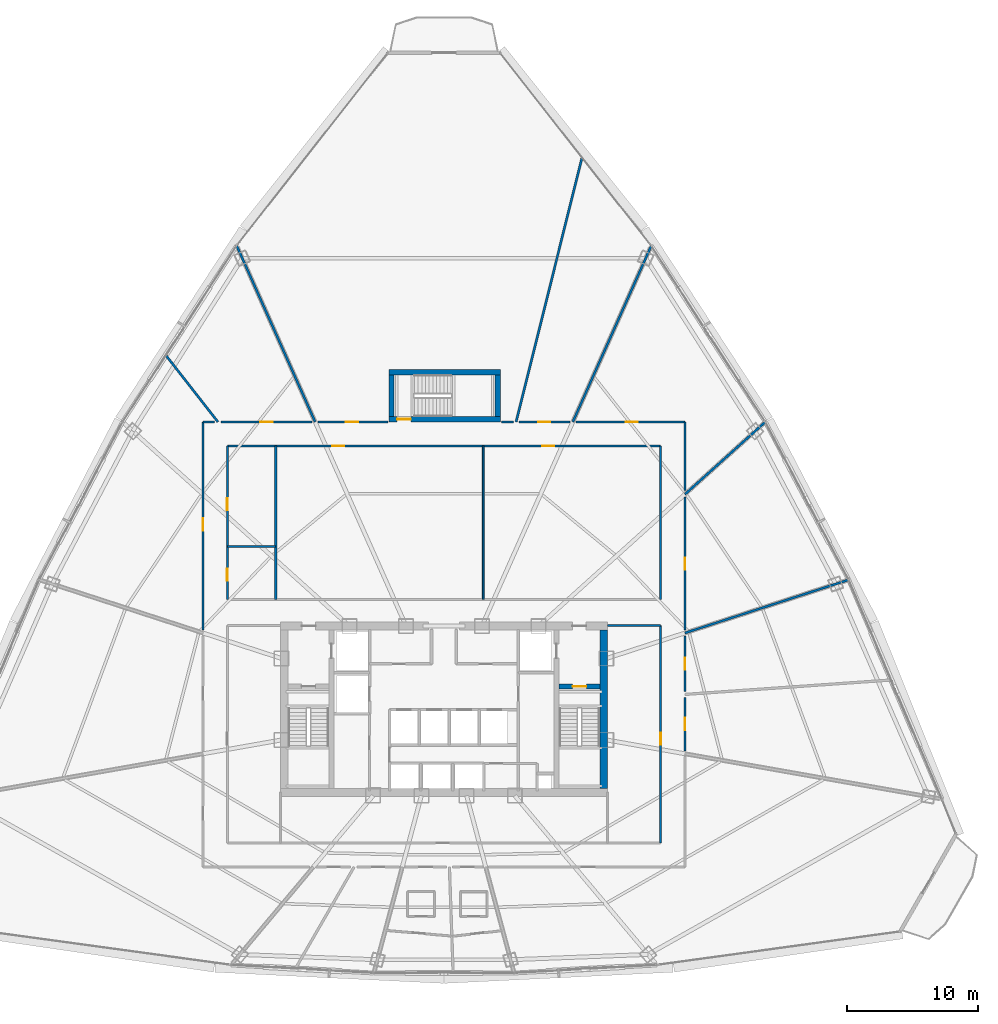
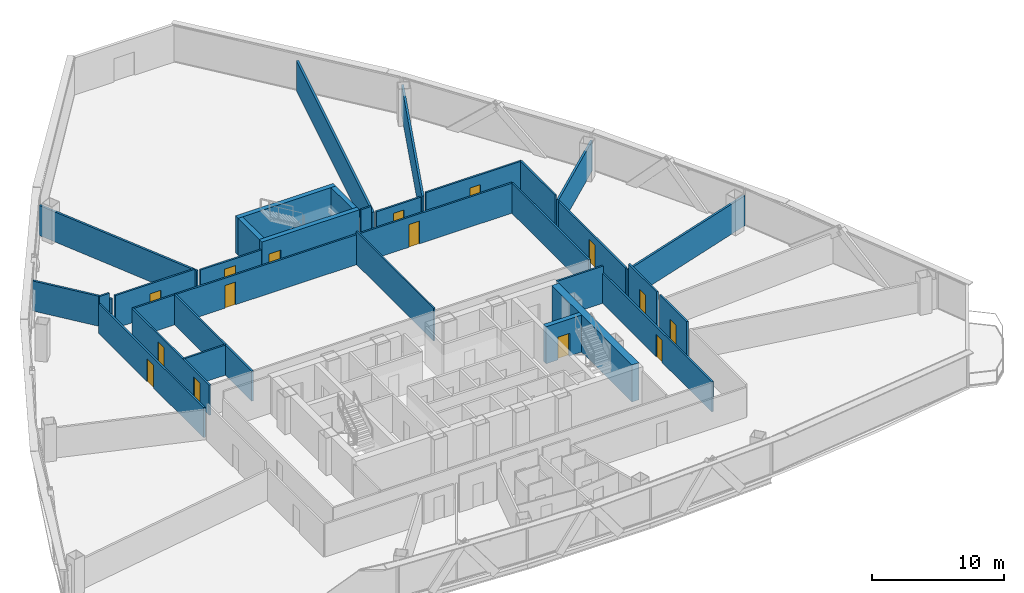
# One storey, part 34 of 39: 31 walls, 15 doors, 15 openings.
"""IFC4 building model written with IfcOpenShell, lengths in metres."""

from ifc_helpers import new_model, si_unit, direction, frame, frame_2d, origin, origin_with_axes, place, context, subcontext, project, spatial, rectangle, extrude, source, transform, mapped, material, layer, layer_set, type_object, element, fill, save


model = new_model("IFC4")

# Units and contexts
model_context = context("Model", 3, precision=1e-05, world=origin(), true_north=direction((0.0, 1.0)))
body_context = subcontext(model_context, "Body", "Model", "MODEL_VIEW")
ifc_project = project(units=[si_unit("LENGTHUNIT", "METRE"), si_unit("AREAUNIT", "SQUARE_METRE"), si_unit("VOLUMEUNIT", "CUBIC_METRE"), si_unit("PLANEANGLEUNIT", "RADIAN"), si_unit("MASSUNIT", "GRAM", prefix="KILO"), si_unit("THERMODYNAMICTEMPERATUREUNIT", "KELVIN"), si_unit("POWERUNIT", "WATT")], contexts=[model_context])

# Site, building, storey
site_placement = place(None, origin())
site = spatial("IfcSite", under=ifc_project, at=site_placement, CompositionType="ELEMENT")
building_placement = place(site_placement, origin())
building = spatial("IfcBuilding", under=site, at=building_placement, Name="Yunzhuo Pagoda Commons", CompositionType="ELEMENT")
storey_placement = place(building_placement, frame((0.0, 0.0, 162.949951171875)))
storey = spatial("IfcBuildingStorey", under=building, at=storey_placement, Name="L41", CompositionType="ELEMENT", Elevation=162.949951171875)

# Wall
ifc_material_1 = material(Name="Concrete C60", Category="concrete")
ifc_layer_1 = layer(ifc_material_1, 0.60009765625)
ifc_layer_set_1 = layer_set([ifc_layer_1], Name="Concrete C60")
wall_type_1 = type_object("IfcWallType", Name="W-C02 Mid Core Shear Wall 600", PredefinedType="SHEAR", material=ifc_layer_set_1)
wall_1_placement = place(storey_placement, frame((60.199951171875, 27.800048828125, 0.0), z_axis=(0.0, 0.0, 1.0), x_axis=(0.0, 1.0, 0.0)))
element("IfcWall", 1, at=wall_1_placement, inside=storey, type_object=wall_type_1, Name="L41 core shear wall E", PredefinedType="SHEAR", context=body_context, shape_type="SweptSolid", body=[
    extrude(rectangle(XDim=12.099853515625, YDim=0.60009765625, at=frame_2d((6.0498046875, 0.0))), origin(), (0.0, 0.0, 1.0), 3.420166015625),
])

# Wall, openings, doors
ifc_material_2 = material(Name="Gypsum plasterboard on acoustic stud")
ifc_layer_2 = layer(ifc_material_2, 0.155029296875)
ifc_layer_set_2 = layer_set([ifc_layer_2], Name="Gypsum plasterboard on acoustic stud")
wall_type_2 = type_object("IfcWallType", Name="W-COR2 Mid-Zone Rated Corridor Wall 155", PredefinedType="PARTITIONING", material=ifc_layer_set_2)
wall_2_placement = place(storey_placement, frame((31.449951171875, 53.949951171875, 0.0), z_axis=(0.0, 0.0, 1.0), x_axis=(1.0, 0.0, 0.0)))
wall_2 = element("IfcWall", 2, at=wall_2_placement, inside=storey, type_object=wall_type_2, Name="L41 interior wall IW-L41-MCNN", PredefinedType="PARTITIONING", context=body_context, shape_type="SweptSolid", body=[
    extrude(rectangle(XDim=33.10009765625, YDim=0.155029296875, at=frame_2d((16.550048828125, 0.0))), origin(), (0.0, 0.0, 1.0), 2.77001953125),
])
opening_1_placement = place(wall_2_placement, frame((8.0, 0.0, 0.0)))
opening_1 = element("IfcOpeningElement", 3, at=opening_1_placement, cuts=wall_2, Name="Opening D-04", PredefinedType="OPENING", context=body_context, shape_type="SweptSolid", body=[
    extrude(rectangle(XDim=0.919921875, YDim=2.10009765625, at=frame_2d((0.4599609375, 1.050048828125))), frame((0.0, 0.08740234375, 0.0), z_axis=(0.0, -1.0, 0.0), x_axis=(1.0, 0.0, 0.0)), (0.0, 0.0, 1.0), 0.175048828125),
])
opening_2_placement = place(wall_2_placement, frame((24.050048828125, 0.0, 0.0)))
opening_2 = element("IfcOpeningElement", 4, at=opening_2_placement, cuts=wall_2, Name="Opening D-04", PredefinedType="OPENING", context=body_context, shape_type="SweptSolid", body=[
    extrude(rectangle(XDim=0.919921875, YDim=2.10009765625, at=frame_2d((0.4599609375, 1.050048828125))), frame((0.0, 0.08740234375, 0.0), z_axis=(0.0, -1.0, 0.0), x_axis=(1.0, 0.0, 0.0)), (0.0, 0.0, 1.0), 0.175048828125),
])
ifc_material_3 = material(Name="Powder-coated aluminium and timber acoustic leaf", Category="wood")
door_type_1 = type_object("IfcDoorType", Name="D-04 Bedroom & Study Interior Door 920x2100", OperationType="NOTDEFINED", PredefinedType="DOOR", material=ifc_material_3)
shared_shape_1 = source(origin(), body_context, "Body", "SweptSolid", [
    extrude(rectangle(XDim=0.919921875, YDim=2.10009765625, at=frame_2d((0.4599609375, 1.050048828125))), frame((0.0, 0.02490234375, 0.0), z_axis=(0.0, -1.0, 0.0), x_axis=(1.0, 0.0, 0.0)), (0.0, 0.0, 1.0), 0.050048828125),
])
door_1_placement = place(opening_1_placement, origin_with_axes())
door_1 = element("IfcDoor", 5, at=door_1_placement, inside=storey, type_object=door_type_1, Name="L41 reading commons door", OperationType="SINGLE_SWING_LEFT", OverallHeight=2.10009765625, OverallWidth=0.919921875, PredefinedType="DOOR", context=body_context, shape_type="MappedRepresentation", body=[
    mapped(shared_shape_1, transform((0.0, 0.0, 0.0), scale=1.0)),
])
fill(opening_1, door_1)
door_2_placement = place(opening_2_placement, origin_with_axes())
door_2 = element("IfcDoor", 6, at=door_2_placement, inside=storey, type_object=door_type_1, Name="L41 seminar commons door", OperationType="SINGLE_SWING_RIGHT", OverallHeight=2.10009765625, OverallWidth=0.919921875, PredefinedType="DOOR", context=body_context, shape_type="MappedRepresentation", body=[
    mapped(shared_shape_1, transform((0.0, 0.0, 0.0), scale=1.0)),
])
fill(opening_2, door_2)

wall_3_placement = place(storey_placement, frame((31.449951171875, 42.25, 0.0), z_axis=(0.0, 0.0, 1.0), x_axis=(0.0, 1.0, 0.0)))
wall_3 = element("IfcWall", 7, at=wall_3_placement, inside=storey, type_object=wall_type_2, Name="L41 interior wall IW-L41-MCNW", PredefinedType="PARTITIONING", context=body_context, shape_type="SweptSolid", body=[
    extrude(rectangle(XDim=11.699951171875, YDim=0.155029296875, at=frame_2d((5.85009765625, 0.0))), origin(), (0.0, 0.0, 1.0), 2.77001953125),
])
opening_3_placement = place(wall_3_placement, frame((1.39990234375, 0.0, 0.0)))
opening_3 = element("IfcOpeningElement", 8, at=opening_3_placement, cuts=wall_3, Name="Opening D-11", PredefinedType="OPENING", context=body_context, shape_type="SweptSolid", body=[
    extrude(rectangle(XDim=0.93994140625, YDim=2.10009765625, at=frame_2d((0.469970703125, 1.050048828125))), frame((0.0, 0.08740234375, 0.0), z_axis=(0.0, -1.0, 0.0), x_axis=(1.0, 0.0, 0.0)), (0.0, 0.0, 1.0), 0.175048828125),
])
opening_4_placement = place(wall_3_placement, frame((6.800048828125, 0.0, 0.0)))
opening_4 = element("IfcOpeningElement", 9, at=opening_4_placement, cuts=wall_3, Name="Opening D-04", PredefinedType="OPENING", context=body_context, shape_type="SweptSolid", body=[
    extrude(rectangle(XDim=0.919921875, YDim=2.10009765625, at=frame_2d((0.4599609375, 1.050048828125))), frame((0.0, 0.08740234375, 0.0), z_axis=(0.0, -1.0, 0.0), x_axis=(1.0, 0.0, 0.0)), (0.0, 0.0, 1.0), 0.175048828125),
])
ifc_material_4 = material(Name="Galvanized fire-resisting metal leaf")
door_type_2 = type_object("IfcDoorType", Name="D-11 Accessible Washroom Fire Door 940x2100", OperationType="NOTDEFINED", PredefinedType="DOOR", material=ifc_material_4)
shared_shape_2 = source(origin(), body_context, "Body", "SweptSolid", [
    extrude(rectangle(XDim=0.93994140625, YDim=2.10009765625, at=frame_2d((0.469970703125, 1.050048828125))), frame((0.0, 0.02490234375, 0.0), z_axis=(0.0, -1.0, 0.0), x_axis=(1.0, 0.0, 0.0)), (0.0, 0.0, 1.0), 0.050048828125),
])
door_3_placement = place(opening_3_placement, origin_with_axes())
door_3 = element("IfcDoor", 10, at=door_3_placement, inside=storey, type_object=door_type_2, Name="L41 accessible WC door", OperationType="SINGLE_SWING_LEFT", OverallHeight=2.10009765625, OverallWidth=0.93994140625, PredefinedType="DOOR", context=body_context, shape_type="MappedRepresentation", body=[
    mapped(shared_shape_2, transform((0.0, 0.0, 0.0), scale=1.0)),
])
fill(opening_3, door_3)
door_4_placement = place(opening_4_placement, origin_with_axes())
door_4 = element("IfcDoor", 11, at=door_4_placement, inside=storey, type_object=door_type_1, Name="L41 laundry door", OperationType="SINGLE_SWING_RIGHT", OverallHeight=2.10009765625, OverallWidth=0.919921875, PredefinedType="DOOR", context=body_context, shape_type="MappedRepresentation", body=[
    mapped(shared_shape_1, transform((0.0, 0.0, 0.0), scale=1.0)),
])
fill(opening_4, door_4)

# Walls
for number, where, z_axis, x_axis, name in (
    (12, (64.550048828125, 42.25, 0.0), (0.0, 0.0, 1.0), (0.0, 1.0, 0.0), "L41 interior wall IW-L41-MCNE"),
    (13, (35.14990234375, 42.25, 0.0), (0.0, 0.0, 1.0), (0.0, 1.0, 0.0), "L41 interior wall IW-L41-MCWCE"),
):
    element("IfcWall", number, at=place(storey_placement, frame(where, z_axis=z_axis, x_axis=x_axis)), inside=storey, type_object=wall_type_2, Name=name, PredefinedType="PARTITIONING", context=body_context, shape_type="SweptSolid", body=[
        extrude(rectangle(XDim=11.699951171875, YDim=0.155029296875, at=frame_2d((5.85009765625, 0.0))), origin(), (0.0, 0.0, 1.0), 2.77001953125),
    ])
wall_4_placement = place(storey_placement, frame((31.449951171875, 46.300048828125, 0.0), z_axis=(0.0, 0.0, 1.0), x_axis=(1.0, 0.0, 0.0)))
element("IfcWall", 14, at=wall_4_placement, inside=storey, type_object=wall_type_2, Name="L41 interior wall IW-L41-MCWCN", PredefinedType="PARTITIONING", context=body_context, shape_type="SweptSolid", body=[
    extrude(rectangle(XDim=3.699951171875, YDim=0.155029296875, at=frame_2d((1.85009765625, 0.0))), origin(), (0.0, 0.0, 1.0), 2.77001953125),
])

# Wall, opening, door
wall_5_placement = place(storey_placement, frame((64.550048828125, 23.64990234375, 0.0), z_axis=(0.0, 0.0, 1.0), x_axis=(0.0, 1.0, 0.0)))
wall_5 = element("IfcWall", 15, at=wall_5_placement, inside=storey, type_object=wall_type_2, Name="L41 interior wall IW-L41-SFLE", PredefinedType="PARTITIONING", context=body_context, shape_type="SweptSolid", body=[
    extrude(rectangle(XDim=16.60009765625, YDim=0.155029296875, at=frame_2d((8.300048828125, 0.0))), origin(), (0.0, 0.0, 1.0), 2.77001953125),
])
opening_5_placement = place(wall_5_placement, frame((7.5, 0.0, 0.0)))
opening_5 = element("IfcOpeningElement", 16, at=opening_5_placement, cuts=wall_5, Name="Opening D-12", PredefinedType="OPENING", context=body_context, shape_type="SweptSolid", body=[
    extrude(rectangle(XDim=0.89990234375, YDim=2.080078125, at=frame_2d((0.449951171875, 1.0400390625))), frame((0.0, 0.08740234375, 0.0), z_axis=(0.0, -1.0, 0.0), x_axis=(1.0, 0.0, 0.0)), (0.0, 0.0, 1.0), 0.175048828125),
])
door_type_3 = type_object("IfcDoorType", Name="D-12 Quiet Study Interior Door 900x2080", OperationType="NOTDEFINED", PredefinedType="DOOR", material=ifc_material_3)
shared_shape_3 = source(origin(), body_context, "Body", "SweptSolid", [
    extrude(rectangle(XDim=0.89990234375, YDim=2.080078125, at=frame_2d((0.449951171875, 1.0400390625))), frame((0.0, 0.02490234375, 0.0), z_axis=(0.0, -1.0, 0.0), x_axis=(1.0, 0.0, 0.0)), (0.0, 0.0, 1.0), 0.050048828125),
])
door_5_placement = place(opening_5_placement, frame((0.89990234375, 0.0, 0.0), z_axis=(0.0, 0.0, 1.0), x_axis=(-1.0, 0.0, 0.0)))
door_5 = element("IfcDoor", 17, at=door_5_placement, inside=storey, type_object=door_type_3, Name="L41 east study workroom door", OperationType="SINGLE_SWING_RIGHT", OverallHeight=2.080078125, OverallWidth=0.89990234375, PredefinedType="DOOR", context=body_context, shape_type="MappedRepresentation", body=[
    mapped(shared_shape_3, transform((0.0, 0.0, 0.0), scale=1.0)),
])
fill(opening_5, door_5)

# Wall
wall_6_placement = place(storey_placement, frame((60.5, 40.25, 0.0), z_axis=(0.0, 0.0, 1.0), x_axis=(1.0, 0.0, 0.0)))
element("IfcWall", 18, at=wall_6_placement, inside=storey, type_object=wall_type_2, Name="L41 interior wall IW-L41-SFLNE", PredefinedType="PARTITIONING", context=body_context, shape_type="SweptSolid", body=[
    extrude(rectangle(XDim=4.050048828125, YDim=0.155029296875, at=frame_2d((2.02490234375, 0.0))), origin(), (0.0, 0.0, 1.0), 3.420166015625),
])

# Wall, opening, door
wall_7_placement = place(storey_placement, frame((29.60009765625, 39.909912109375, 0.0), z_axis=(0.0, 0.0, 1.0), x_axis=(0.0, 1.0, 0.0)))
wall_7 = element("IfcWall", 19, at=wall_7_placement, inside=storey, type_object=wall_type_2, Name="L41 interior wall IW-L41-CWL03", PredefinedType="PARTITIONING", context=body_context, shape_type="SweptSolid", body=[
    extrude(rectangle(XDim=15.89013671875, YDim=0.155029296875, at=frame_2d((7.945068359375, 0.0))), origin(), (0.0, 0.0, 1.0), 2.77001953125),
])
opening_6_placement = place(wall_7_placement, frame((7.58447265625, 0.0, 0.0)))
opening_6 = element("IfcOpeningElement", 20, at=opening_6_placement, cuts=wall_7, Name="Opening D-07", PredefinedType="OPENING", context=body_context, shape_type="SweptSolid", body=[
    extrude(rectangle(XDim=0.9599609375, YDim=2.1201171875, at=frame_2d((0.47998046875, 1.06005859375))), frame((0.0, 0.08740234375, 0.0), z_axis=(0.0, -1.0, 0.0), x_axis=(1.0, 0.0, 0.0)), (0.0, 0.0, 1.0), 0.175048828125),
])
door_type_4 = type_object("IfcDoorType", Name="D-07 Mid-Zone Suite Entrance Fire Door 960x2120", OperationType="NOTDEFINED", PredefinedType="DOOR", material=ifc_material_4)
shared_shape_4 = source(origin(), body_context, "Body", "SweptSolid", [
    extrude(rectangle(XDim=0.9599609375, YDim=2.1201171875, at=frame_2d((0.47998046875, 1.06005859375))), frame((0.0, 0.02490234375, 0.0), z_axis=(0.0, -1.0, 0.0), x_axis=(1.0, 0.0, 0.0)), (0.0, 0.0, 1.0), 0.050048828125),
])
door_6_placement = place(opening_6_placement, origin_with_axes())
door_6 = element("IfcDoor", 21, at=door_6_placement, inside=storey, type_object=door_type_4, Name="L41 Shared Resident Kitchen and Pantry door", OperationType="SINGLE_SWING_RIGHT", OverallHeight=2.1201171875, OverallWidth=0.9599609375, PredefinedType="DOOR", context=body_context, shape_type="MappedRepresentation", body=[
    mapped(shared_shape_4, transform((0.0, 0.0, 0.0), scale=1.0)),
])
fill(opening_6, door_6)

# Wall
wall_8_placement = place(storey_placement, frame((29.60009765625, 55.800048828125, 0.0), z_axis=(0.0, 0.0, 1.0), x_axis=(1.0, 0.0, 0.0)))
element("IfcWall", 22, at=wall_8_placement, inside=storey, type_object=wall_type_2, Name="L41 interior wall IW-L41-CWL04", PredefinedType="PARTITIONING", context=body_context, shape_type="SweptSolid", body=[
    extrude(rectangle(XDim=0.854248046875, YDim=0.155029296875, at=frame_2d((0.42724609375, 0.0))), origin(), (0.0, 0.0, 1.0), 3.420166015625),
])

# Wall, opening, door
wall_9_placement = place(storey_placement, frame((30.953369140625, 55.800048828125, 0.0), z_axis=(0.0, 0.0, 1.0), x_axis=(1.0, 0.0, 0.0)))
wall_9 = element("IfcWall", 23, at=wall_9_placement, inside=storey, type_object=wall_type_2, Name="L41 interior wall IW-L41-CWL05", PredefinedType="PARTITIONING", context=body_context, shape_type="SweptSolid", body=[
    extrude(rectangle(XDim=6.96630859375, YDim=0.155029296875, at=frame_2d((3.483154296875, 0.0))), origin(), (0.0, 0.0, 1.0), 3.02001953125),
])
opening_7_placement = place(wall_9_placement, frame((3.0185546875, 0.0, 0.0)))
opening_7 = element("IfcOpeningElement", 24, at=opening_7_placement, cuts=wall_9, Name="Opening D-07", PredefinedType="OPENING", context=body_context, shape_type="SweptSolid", body=[
    extrude(rectangle(XDim=0.9599609375, YDim=2.1201171875, at=frame_2d((0.47998046875, 1.06005859375))), frame((0.0, 0.08740234375, 0.0), z_axis=(0.0, -1.0, 0.0), x_axis=(1.0, 0.0, 0.0)), (0.0, 0.0, 1.0), 0.175048828125),
])
door_7_placement = place(opening_7_placement, origin_with_axes())
door_7 = element("IfcDoor", 25, at=door_7_placement, inside=storey, type_object=door_type_4, Name="L41 unit 06 entrance door", OperationType="SINGLE_SWING_LEFT", OverallHeight=2.1201171875, OverallWidth=0.9599609375, PredefinedType="DOOR", context=body_context, shape_type="MappedRepresentation", body=[
    mapped(shared_shape_4, transform((0.0, 0.0, 0.0), scale=1.0)),
])
fill(opening_7, door_7)

wall_10_placement = place(storey_placement, frame((38.380126953125, 55.800048828125, 0.0), z_axis=(0.0, 0.0, 1.0), x_axis=(1.0, 0.0, 0.0)))
wall_10 = element("IfcWall", 26, at=wall_10_placement, inside=storey, type_object=wall_type_2, Name="L41 interior wall IW-L41-CWL06", PredefinedType="PARTITIONING", context=body_context, shape_type="SweptSolid", body=[
    extrude(rectangle(XDim=5.328857421875, YDim=0.155029296875, at=frame_2d((2.66455078125, 0.0))), origin(), (0.0, 0.0, 1.0), 2.77001953125),
])
opening_8_placement = place(wall_10_placement, frame((2.114990234375, 0.0, 0.0)))
opening_8 = element("IfcOpeningElement", 27, at=opening_8_placement, cuts=wall_10, Name="Opening D-07", PredefinedType="OPENING", context=body_context, shape_type="SweptSolid", body=[
    extrude(rectangle(XDim=0.9599609375, YDim=2.1201171875, at=frame_2d((0.47998046875, 1.06005859375))), frame((0.0, 0.08740234375, 0.0), z_axis=(0.0, -1.0, 0.0), x_axis=(1.0, 0.0, 0.0)), (0.0, 0.0, 1.0), 0.175048828125),
])
door_8_placement = place(opening_8_placement, origin_with_axes())
door_8 = element("IfcDoor", 28, at=door_8_placement, inside=storey, type_object=door_type_4, Name="L41 unit 05 entrance door", OperationType="SINGLE_SWING_RIGHT", OverallHeight=2.1201171875, OverallWidth=0.9599609375, PredefinedType="DOOR", context=body_context, shape_type="MappedRepresentation", body=[
    mapped(shared_shape_4, transform((0.0, 0.0, 0.0), scale=1.0)),
])
fill(opening_8, door_8)

# Wall
wall_11_placement = place(storey_placement, frame((52.39111328125, 55.800048828125, 0.0), z_axis=(0.0, 0.0, 1.0), x_axis=(1.0, 0.0, 0.0)))
element("IfcWall", 29, at=wall_11_placement, inside=storey, type_object=wall_type_2, Name="L41 interior wall IW-L41-CWL07", PredefinedType="PARTITIONING", context=body_context, shape_type="SweptSolid", body=[
    extrude(rectangle(XDim=0.899169921875, YDim=0.155029296875, at=frame_2d((0.44970703125, 0.0))), origin(), (0.0, 0.0, 1.0), 3.420166015625),
])

# Wall, opening, door
wall_12_placement = place(storey_placement, frame((53.73681640625, 55.800048828125, 0.0), z_axis=(0.0, 0.0, 1.0), x_axis=(1.0, 0.0, 0.0)))
wall_12 = element("IfcWall", 30, at=wall_12_placement, inside=storey, type_object=wall_type_2, Name="L41 interior wall IW-L41-CWL08", PredefinedType="PARTITIONING", context=body_context, shape_type="SweptSolid", body=[
    extrude(rectangle(XDim=3.883056640625, YDim=0.155029296875, at=frame_2d((1.94140625, 0.0))), origin(), (0.0, 0.0, 1.0), 2.77001953125),
])
opening_9_placement = place(wall_12_placement, frame((1.47802734375, 0.0, 0.0)))
opening_9 = element("IfcOpeningElement", 31, at=opening_9_placement, cuts=wall_12, Name="Opening D-04", PredefinedType="OPENING", context=body_context, shape_type="SweptSolid", body=[
    extrude(rectangle(XDim=0.919921875, YDim=2.10009765625, at=frame_2d((0.4599609375, 1.050048828125))), frame((0.0, 0.08740234375, 0.0), z_axis=(0.0, -1.0, 0.0), x_axis=(1.0, 0.0, 0.0)), (0.0, 0.0, 1.0), 0.175048828125),
])
door_9_placement = place(opening_9_placement, origin_with_axes())
door_9 = element("IfcDoor", 32, at=door_9_placement, inside=storey, type_object=door_type_1, Name="L41 seminar room 04 door", OperationType="SINGLE_SWING_LEFT", OverallHeight=2.10009765625, OverallWidth=0.919921875, PredefinedType="DOOR", context=body_context, shape_type="MappedRepresentation", body=[
    mapped(shared_shape_1, transform((0.0, 0.0, 0.0), scale=1.0)),
])
fill(opening_9, door_9)

wall_13_placement = place(storey_placement, frame((58.080322265625, 55.800048828125, 0.0), z_axis=(0.0, 0.0, 1.0), x_axis=(1.0, 0.0, 0.0)))
wall_13 = element("IfcWall", 33, at=wall_13_placement, inside=storey, type_object=wall_type_2, Name="L41 interior wall IW-L41-CWL09", PredefinedType="PARTITIONING", context=body_context, shape_type="SweptSolid", body=[
    extrude(rectangle(XDim=8.319580078125, YDim=0.155029296875, at=frame_2d((4.15966796875, 0.0))), origin(), (0.0, 0.0, 1.0), 3.02001953125),
])
opening_10_placement = place(wall_13_placement, frame((3.809326171875, 0.0, 0.0)))
opening_10 = element("IfcOpeningElement", 34, at=opening_10_placement, cuts=wall_13, Name="Opening D-04", PredefinedType="OPENING", context=body_context, shape_type="SweptSolid", body=[
    extrude(rectangle(XDim=0.919921875, YDim=2.10009765625, at=frame_2d((0.4599609375, 1.050048828125))), frame((0.0, 0.08740234375, 0.0), z_axis=(0.0, -1.0, 0.0), x_axis=(1.0, 0.0, 0.0)), (0.0, 0.0, 1.0), 0.175048828125),
])
door_10_placement = place(opening_10_placement, origin_with_axes())
door_10 = element("IfcDoor", 35, at=door_10_placement, inside=storey, type_object=door_type_1, Name="L41 seminar room 03 door", OperationType="SINGLE_SWING_RIGHT", OverallHeight=2.10009765625, OverallWidth=0.919921875, PredefinedType="DOOR", context=body_context, shape_type="MappedRepresentation", body=[
    mapped(shared_shape_1, transform((0.0, 0.0, 0.0), scale=1.0)),
])
fill(opening_10, door_10)

# Wall
wall_14_placement = place(storey_placement, frame((66.39990234375, 55.800048828125, 0.0), z_axis=(0.0, 0.0, 1.0), x_axis=(0.0, -1.0, 0.0)))
element("IfcWall", 36, at=wall_14_placement, inside=storey, type_object=wall_type_2, Name="L41 interior wall IW-L41-CWL10", PredefinedType="PARTITIONING", context=body_context, shape_type="SweptSolid", body=[
    extrude(rectangle(XDim=5.236572265625, YDim=0.155029296875, at=frame_2d((2.6181640625, 0.0))), origin(), (0.0, 0.0, 1.0), 3.02001953125),
])

# Wall, opening, door
wall_15_placement = place(storey_placement, frame((66.39990234375, 50.047607421875, 0.0), z_axis=(0.0, 0.0, 1.0), x_axis=(0.0, -1.0, 0.0)))
wall_15 = element("IfcWall", 37, at=wall_15_placement, inside=storey, type_object=wall_type_2, Name="L41 interior wall IW-L41-CWL11", PredefinedType="PARTITIONING", context=body_context, shape_type="SweptSolid", body=[
    extrude(rectangle(XDim=10.1376953125, YDim=0.155029296875, at=frame_2d((5.06884765625, 0.0))), origin(), (0.0, 0.0, 1.0), 2.77001953125),
])
opening_11_placement = place(wall_15_placement, frame((4.61474609375, 0.0, 0.0)))
opening_11 = element("IfcOpeningElement", 38, at=opening_11_placement, cuts=wall_15, Name="Opening D-04", PredefinedType="OPENING", context=body_context, shape_type="SweptSolid", body=[
    extrude(rectangle(XDim=0.919921875, YDim=2.10009765625, at=frame_2d((0.4599609375, 1.050048828125))), frame((0.0, 0.08740234375, 0.0), z_axis=(0.0, -1.0, 0.0), x_axis=(1.0, 0.0, 0.0)), (0.0, 0.0, 1.0), 0.175048828125),
])
door_11_placement = place(opening_11_placement, origin_with_axes())
door_11 = element("IfcDoor", 39, at=door_11_placement, inside=storey, type_object=door_type_1, Name="L41 seminar room 02 door", OperationType="SINGLE_SWING_LEFT", OverallHeight=2.10009765625, OverallWidth=0.919921875, PredefinedType="DOOR", context=body_context, shape_type="MappedRepresentation", body=[
    mapped(shared_shape_1, transform((0.0, 0.0, 0.0), scale=1.0)),
])
fill(opening_11, door_11)

wall_16_placement = place(storey_placement, frame((66.39990234375, 39.458740234375, 0.0), z_axis=(0.0, 0.0, 1.0), x_axis=(0.0, -1.0, 0.0)))
wall_16 = element("IfcWall", 40, at=wall_16_placement, inside=storey, type_object=wall_type_2, Name="L41 interior wall IW-L41-CWL12", PredefinedType="PARTITIONING", context=body_context, shape_type="SweptSolid", body=[
    extrude(rectangle(XDim=4.25146484375, YDim=0.155029296875, at=frame_2d((2.125732421875, 0.0))), origin(), (0.0, 0.0, 1.0), 3.420166015625),
])
opening_12_placement = place(wall_16_placement, frame((1.666015625, 0.0, 0.0)))
opening_12 = element("IfcOpeningElement", 41, at=opening_12_placement, cuts=wall_16, Name="Opening D-04", PredefinedType="OPENING", context=body_context, shape_type="SweptSolid", body=[
    extrude(rectangle(XDim=0.919921875, YDim=2.10009765625, at=frame_2d((0.4599609375, 1.050048828125))), frame((0.0, 0.08740234375, 0.0), z_axis=(0.0, -1.0, 0.0), x_axis=(1.0, 0.0, 0.0)), (0.0, 0.0, 1.0), 0.175048828125),
])
door_12_placement = place(opening_12_placement, origin_with_axes())
door_12 = element("IfcDoor", 42, at=door_12_placement, inside=storey, type_object=door_type_1, Name="L41 seminar room 01 door", OperationType="SINGLE_SWING_RIGHT", OverallHeight=2.10009765625, OverallWidth=0.919921875, PredefinedType="DOOR", context=body_context, shape_type="MappedRepresentation", body=[
    mapped(shared_shape_1, transform((0.0, 0.0, 0.0), scale=1.0)),
])
fill(opening_12, door_12)

wall_17_placement = place(storey_placement, frame((66.39990234375, 34.766845703125, 0.0), z_axis=(0.0, 0.0, 1.0), x_axis=(0.0, -1.0, 0.0)))
wall_17 = element("IfcWall", 43, at=wall_17_placement, inside=storey, type_object=wall_type_2, Name="L41 interior wall IW-L41-CWL13", PredefinedType="PARTITIONING", context=body_context, shape_type="SweptSolid", body=[
    extrude(rectangle(XDim=4.091552734375, YDim=0.155029296875, at=frame_2d((2.0458984375, 0.0))), origin(), (0.0, 0.0, 1.0), 3.420166015625),
])
opening_13_placement = place(wall_17_placement, frame((1.57080078125, 0.0, 0.0)))
opening_13 = element("IfcOpeningElement", 44, at=opening_13_placement, cuts=wall_17, Name="Opening D-07", PredefinedType="OPENING", context=body_context, shape_type="SweptSolid", body=[
    extrude(rectangle(XDim=0.9599609375, YDim=2.1201171875, at=frame_2d((0.47998046875, 1.06005859375))), frame((0.0, 0.08740234375, 0.0), z_axis=(0.0, -1.0, 0.0), x_axis=(1.0, 0.0, 0.0)), (0.0, 0.0, 1.0), 0.175048828125),
])
door_13_placement = place(opening_13_placement, origin_with_axes())
door_13 = element("IfcDoor", 45, at=door_13_placement, inside=storey, type_object=door_type_4, Name="L41 unit 15 entrance door", OperationType="SINGLE_SWING_RIGHT", OverallHeight=2.1201171875, OverallWidth=0.9599609375, PredefinedType="DOOR", context=body_context, shape_type="MappedRepresentation", body=[
    mapped(shared_shape_4, transform((0.0, 0.0, 0.0), scale=1.0)),
])
fill(opening_13, door_13)

# Walls
ifc_layer_3 = layer(ifc_material_2, 0.1201171875)
ifc_layer_set_3 = layer_set([ifc_layer_3], Name="Gypsum plasterboard on acoustic stud")
wall_type_3 = type_object("IfcWallType", Name="W-PRT1 Suite & Bathroom Partition 120", PredefinedType="PARTITIONING", material=ifc_layer_set_3)
wall_18_placement = place(storey_placement, frame((51.0, 42.25, 0.0), z_axis=(0.0, 0.0, 1.0), x_axis=(0.0, 1.0, 0.0)))
element("IfcWall", 46, at=wall_18_placement, inside=storey, type_object=wall_type_3, Name="L41 interior wall IW-L41-MCDIV", PredefinedType="PARTITIONING", context=body_context, shape_type="SweptSolid", body=[
    extrude(rectangle(XDim=11.699951171875, YDim=0.1201171875, at=frame_2d((5.85009765625, 0.0))), origin(), (0.0, 0.0, 1.0), 3.02001953125),
])
ifc_layer_4 = layer(ifc_material_2, 0.175048828125)
ifc_layer_set_4 = layer_set([ifc_layer_4], Name="Gypsum plasterboard on acoustic stud")
wall_type_4 = type_object("IfcWallType", Name="W-PRT3 Mid-Zone Demising Wall 175", PredefinedType="PARTITIONING", material=ifc_layer_set_4)
wall_19_placement = place(storey_placement, frame((66.39990234375, 39.678466796875, 0.0), z_axis=(0.0, 0.0, 1.0), x_axis=(0.951058745875, 0.309010132349, 0.0)))
element("IfcWall", 47, at=wall_19_placement, inside=storey, type_object=wall_type_4, Name="L41 interior wall IW-L41-RAD02", PredefinedType="PARTITIONING", context=body_context, shape_type="SweptSolid", body=[
    extrude(rectangle(XDim=13.157958984375, YDim=0.175048828125, at=frame_2d((6.5791015625, 0.0))), origin(), (0.0, 0.0, 1.0), 2.77001953125),
])
wall_20_placement = place(storey_placement, frame((66.39990234375, 50.267333984375, 0.0), z_axis=(0.0, 0.0, 1.0), x_axis=(0.743138546471, 0.669137579836, 0.0)))
element("IfcWall", 48, at=wall_20_placement, inside=storey, type_object=wall_type_4, Name="L41 interior wall IW-L41-RAD03", PredefinedType="PARTITIONING", context=body_context, shape_type="SweptSolid", body=[
    extrude(rectangle(XDim=8.27099609375, YDim=0.175048828125, at=frame_2d((4.135498046875, 0.0))), origin(), (0.0, 0.0, 1.0), 2.77001953125),
])
wall_21_placement = place(storey_placement, frame((57.839599609375, 55.800048828125, 0.0), z_axis=(0.0, 0.0, 1.0), x_axis=(0.406737891531, 0.913544901793, 0.0)))
element("IfcWall", 49, at=wall_21_placement, inside=storey, type_object=wall_type_4, Name="L41 interior wall IW-L41-RAD04", PredefinedType="PARTITIONING", context=body_context, shape_type="SweptSolid", body=[
    extrude(rectangle(XDim=14.73583984375, YDim=0.175048828125, at=frame_2d((7.367919921875, 0.0))), origin(), (0.0, 0.0, 1.0), 2.77001953125),
])
wall_22_placement = place(storey_placement, frame((53.510009765625, 55.800048828125, 0.0), z_axis=(0.0, 0.0, 1.0), x_axis=(0.241934095485, 0.970292684422, 0.0)))
element("IfcWall", 50, at=wall_22_placement, inside=storey, type_object=wall_type_4, Name="L41 interior wall IW-L41-RAD05", PredefinedType="PARTITIONING", context=body_context, shape_type="SweptSolid", body=[
    extrude(rectangle(XDim=20.820068359375, YDim=0.175048828125, at=frame_2d((10.41015625, 0.0))), origin(), (0.0, 0.0, 1.0), 2.77001953125),
])
wall_23_placement = place(storey_placement, frame((38.160400390625, 55.800048828125, 0.0), z_axis=(0.0, 0.0, 1.0), x_axis=(-0.406737891531, 0.913544901793, 0.0)))
element("IfcWall", 51, at=wall_23_placement, inside=storey, type_object=wall_type_4, Name="L41 interior wall IW-L41-RAD06", PredefinedType="PARTITIONING", context=body_context, shape_type="SweptSolid", body=[
    extrude(rectangle(XDim=14.73583984375, YDim=0.175048828125, at=frame_2d((7.367919921875, 0.0))), origin(), (0.0, 0.0, 1.0), 2.77001953125),
])
wall_24_placement = place(storey_placement, frame((30.733642578125, 55.800048828125, 0.0), z_axis=(0.0, 0.0, 1.0), x_axis=(-0.615677005502, 0.787998619857, 0.0)))
element("IfcWall", 52, at=wall_24_placement, inside=storey, type_object=wall_type_4, Name="L41 interior wall IW-L41-RAD07", PredefinedType="PARTITIONING", context=body_context, shape_type="SweptSolid", body=[
    extrude(rectangle(XDim=6.467529296875, YDim=0.175048828125, at=frame_2d((3.23388671875, 0.0))), origin(), (0.0, 0.0, 1.0), 2.77001953125),
])

# Wall, opening, door
ifc_layer_5 = layer(ifc_material_1, 0.39990234375)
ifc_layer_set_5 = layer_set([ifc_layer_5], Name="Concrete C60")
wall_type_5 = type_object("IfcWallType", Name="W-S01 Internal Core Shear Web 400", PredefinedType="SHEAR", material=ifc_layer_set_5)
wall_25_placement = place(storey_placement, frame((56.800048828125, 35.60009765625, 0.0), z_axis=(0.0, 0.0, 1.0), x_axis=(1.0, 0.0, 0.0)))
wall_25 = element("IfcWall", 53, at=wall_25_placement, inside=storey, type_object=wall_type_5, Name="L41 core shear wall STE", PredefinedType="SHEAR", context=body_context, shape_type="SweptSolid", body=[
    extrude(rectangle(XDim=3.099853515625, YDim=0.39990234375, at=frame_2d((1.5498046875, 0.0))), origin(), (0.0, 0.0, 1.0), 3.420166015625),
])
opening_14_placement = place(wall_25_placement, frame((1.02001953125, 0.0, 0.0)))
opening_14 = element("IfcOpeningElement", 54, at=opening_14_placement, cuts=wall_25, Name="Opening D-01", PredefinedType="OPENING", context=body_context, shape_type="SweptSolid", body=[
    extrude(rectangle(XDim=1.050048828125, YDim=2.10009765625, at=frame_2d((0.52490234375, 1.050048828125))), frame((0.0, 0.2099609375, 0.0), z_axis=(0.0, -1.0, 0.0), x_axis=(1.0, 0.0, 0.0)), (0.0, 0.0, 1.0), 0.419921875),
])
door_type_5 = type_object("IfcDoorType", Name="D-01 Smokeproof Stair Fire Door 1050x2100", OperationType="NOTDEFINED", PredefinedType="DOOR", material=ifc_material_4)
shared_shape_5 = source(origin(), body_context, "Body", "SweptSolid", [
    extrude(rectangle(XDim=1.050048828125, YDim=2.10009765625, at=frame_2d((0.52490234375, 1.050048828125))), frame((0.0, 0.02490234375, 0.0), z_axis=(0.0, -1.0, 0.0), x_axis=(1.0, 0.0, 0.0)), (0.0, 0.0, 1.0), 0.050048828125),
])
door_14_placement = place(opening_14_placement, frame((1.050048828125, 0.0, 0.0), z_axis=(0.0, 0.0, 1.0), x_axis=(-1.0, 0.0, 0.0)))
door_14 = element("IfcDoor", 55, at=door_14_placement, inside=storey, type_object=door_type_5, Name="L41 Stair ST2 fire door", OperationType="SINGLE_SWING_RIGHT", OverallHeight=2.10009765625, OverallWidth=1.050048828125, PredefinedType="DOOR", context=body_context, shape_type="MappedRepresentation", body=[
    mapped(shared_shape_5, transform((0.0, 0.0, 0.0), scale=1.0)),
])
fill(opening_14, door_14)

# Wall
wall_26_placement = place(storey_placement, frame((43.800048828125, 59.60009765625, 0.0), z_axis=(0.0, 0.0, 1.0), x_axis=(1.0, 0.0, 0.0)))
element("IfcWall", 56, at=wall_26_placement, inside=storey, type_object=wall_type_5, Name="L41 ST3 structural stair wall N", PredefinedType="SHEAR", context=body_context, shape_type="SweptSolid", body=[
    extrude(rectangle(XDim=8.5, YDim=0.39990234375, at=frame_2d((4.25, 0.0))), origin(), (0.0, 0.0, 1.0), 3.420166015625),
])

# Wall, opening, door
wall_27_placement = place(storey_placement, frame((43.800048828125, 56.0, 0.0), z_axis=(0.0, 0.0, 1.0), x_axis=(1.0, 0.0, 0.0)))
wall_27 = element("IfcWall", 57, at=wall_27_placement, inside=storey, type_object=wall_type_5, Name="L41 ST3 structural stair wall S", PredefinedType="SHEAR", context=body_context, shape_type="SweptSolid", body=[
    extrude(rectangle(XDim=8.5, YDim=0.39990234375, at=frame_2d((4.25, 0.0))), origin(), (0.0, 0.0, 1.0), 3.420166015625),
])
opening_15_placement = place(wall_27_placement, frame((0.6201171875, 0.0, 0.0)))
opening_15 = element("IfcOpeningElement", 58, at=opening_15_placement, cuts=wall_27, Name="Opening D-01", PredefinedType="OPENING", context=body_context, shape_type="SweptSolid", body=[
    extrude(rectangle(XDim=1.050048828125, YDim=2.10009765625, at=frame_2d((0.52490234375, 1.050048828125))), frame((0.0, 0.2099609375, 0.0), z_axis=(0.0, -1.0, 0.0), x_axis=(1.0, 0.0, 0.0)), (0.0, 0.0, 1.0), 0.419921875),
])
door_15_placement = place(opening_15_placement, frame((1.050048828125, 0.0, 0.0), z_axis=(0.0, 0.0, 1.0), x_axis=(-1.0, 0.0, 0.0)))
door_15 = element("IfcDoor", 59, at=door_15_placement, inside=storey, type_object=door_type_5, Name="L41 Stair ST3 fire door", OperationType="SINGLE_SWING_LEFT", OverallHeight=2.10009765625, OverallWidth=1.050048828125, PredefinedType="DOOR", context=body_context, shape_type="MappedRepresentation", body=[
    mapped(shared_shape_5, transform((0.0, 0.0, 0.0), scale=1.0)),
])
fill(opening_15, door_15)

# Walls
for number, where, z_axis, x_axis, name in (
    (60, (44.0, 56.199951171875, 0.0), (0.0, 0.0, 1.0), (0.0, 1.0, 0.0), "L41 ST3 structural stair wall W"),
    (61, (52.10009765625, 56.199951171875, 0.0), (0.0, 0.0, 1.0), (0.0, 1.0, 0.0), "L41 ST3 structural stair wall E"),
):
    element("IfcWall", number, at=place(storey_placement, frame(where, z_axis=z_axis, x_axis=x_axis)), inside=storey, type_object=wall_type_5, Name=name, PredefinedType="SHEAR", context=body_context, shape_type="SweptSolid", body=[
        extrude(rectangle(XDim=3.199951171875, YDim=0.39990234375, at=frame_2d((1.60009765625, 0.0))), origin(), (0.0, 0.0, 1.0), 3.420166015625),
    ])

save(model, "model.ifc")
